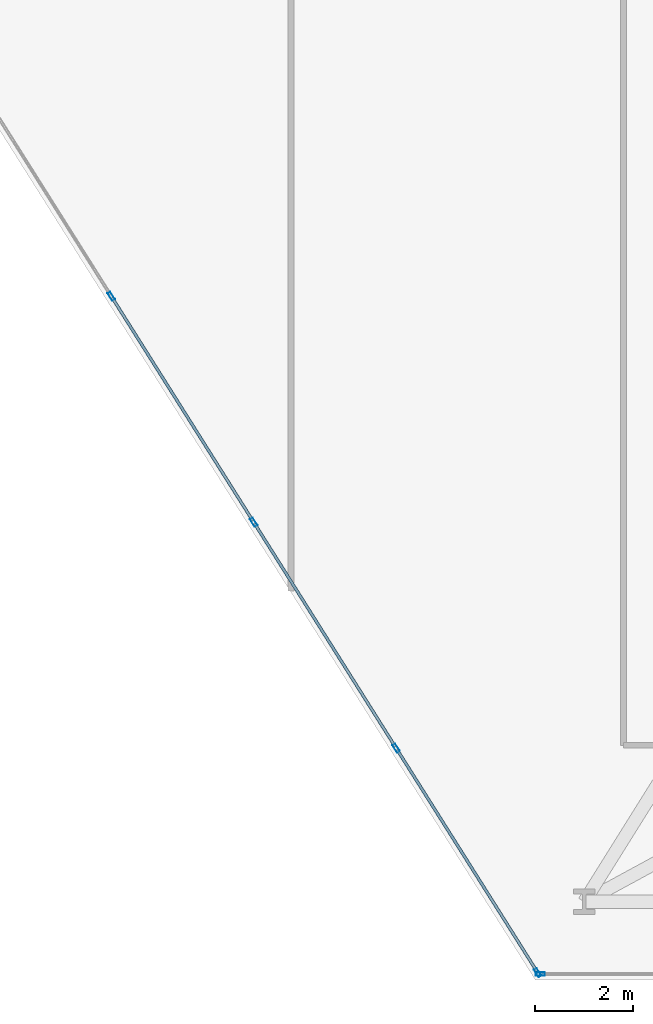
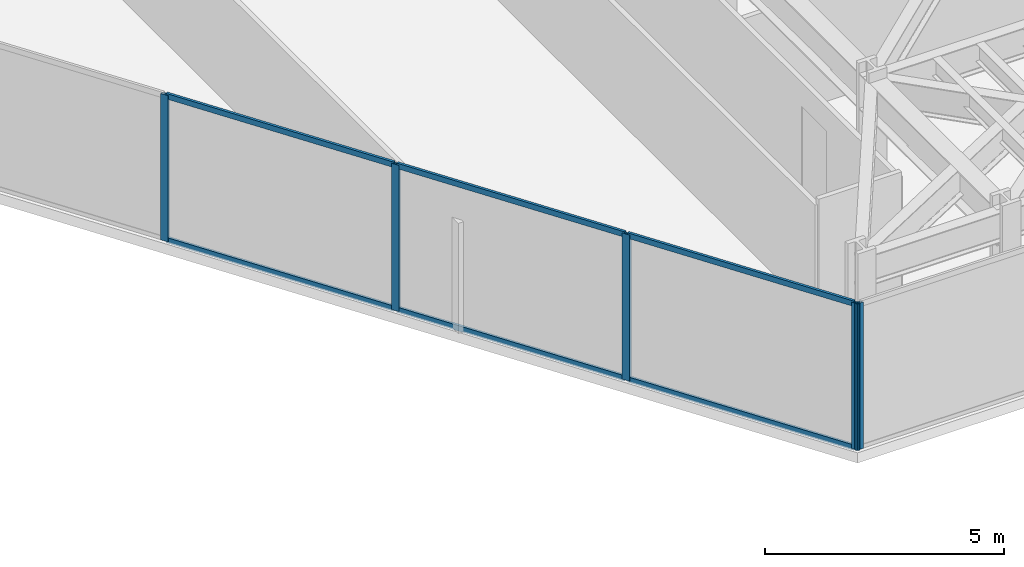
# One storey, part 12 of 24: 11 members, 2 elements without a shape of their own.
"""IFC4 building model written with IfcOpenShell, lengths in metres."""

from ifc_helpers import new_model, si_unit, direction, frame, origin, origin_2d, place, context, subcontext, project, spatial, hollow_rectangle, extrude, material, layer, layer_set, material_profile, profile_set, type_object, element, aggregate, save


model = new_model("IFC4")

# Units and contexts
model_context = context("Model", 3, precision=1e-05, world=origin(), true_north=direction((0.0, 1.0)))
body_context = subcontext(model_context, "Body", "Model", "MODEL_VIEW")
ifc_project = project(units=[si_unit("LENGTHUNIT", "METRE"), si_unit("AREAUNIT", "SQUARE_METRE"), si_unit("VOLUMEUNIT", "CUBIC_METRE"), si_unit("PLANEANGLEUNIT", "RADIAN"), si_unit("MASSUNIT", "GRAM", prefix="KILO")], contexts=[model_context])

# Site, building, storey
site_placement = place(None, origin())
site = spatial("IfcSite", under=ifc_project, at=site_placement, CompositionType="ELEMENT")
building_placement = place(site_placement, origin())
building = spatial("IfcBuilding", under=site, at=building_placement, Name="Kravanh Interchange Tower", CompositionType="ELEMENT")
storey_placement = place(building_placement, frame((0.0, 0.0, 45.5)))
storey = spatial("IfcBuildingStorey", under=building, at=storey_placement, Name="L10", CompositionType="ELEMENT", Elevation=45.5)

# Curtain wall, member
ifc_material_1 = material(Name="Anodised Bronze Aluminium", Category="aluminium")
ifc_layer = layer(ifc_material_1, 0.179931640625)
ifc_layer_set = layer_set([ifc_layer], Name="Unitised Curtain Wall System CW-Z1 Lower Office")
curtain_wall_type = type_object("IfcCurtainWallType", Name="Unitised Curtain Wall System CW-Z1 Lower Office", PredefinedType="NOTDEFINED", material=ifc_layer_set)
curtain_wall_1_placement = place(storey_placement, origin())
curtain_wall_1 = element("IfcCurtainWall", 1, at=curtain_wall_1_placement, inside=storey, type_object=curtain_wall_type, Name="L10 Unitised Curtain Wall CW-L10-03", PredefinedType="NOTDEFINED")
ifc_material_2 = material(Name="Anodised Bronze Aluminium", Category="aluminium")
ifc_material_profile_1 = material_profile(ifc_material_2, hollow_rectangle(XDim=0.070068359375, YDim=0.179931640625, WallThickness=0.00390625, at=origin_2d()), Name="ALU70X180X4")
ifc_profile_set_1 = profile_set([ifc_material_profile_1], Name="Anodised Bronze Aluminium")
member_type_1 = type_object("IfcMemberType", Name="Curtain Wall Mullion ALU70X180X4 Bronze", PredefinedType="MULLION", material=ifc_profile_set_1)
member_1_placement = place(storey_placement, frame((51.601318359375, 1.1201171875, 0.0), z_axis=(0.0, 0.0, 1.0), x_axis=(0.0, -1.0, 0.0)))
member_1 = element("IfcMember", 2, at=member_1_placement, type_object=member_type_1, Name="CW-Z1 mullion 3", PredefinedType="MULLION", context=body_context, shape_type="SweptSolid", body=[
    extrude(hollow_rectangle(XDim=0.070068359375, YDim=0.179931640625, WallThickness=0.00390625, at=origin_2d()), origin(), (0.0, 0.0, 1.0), 3.739990234375),
])
aggregate(curtain_wall_1, [member_1])

# Curtain wall, members
curtain_wall_2_placement = place(storey_placement, origin())
curtain_wall_2 = element("IfcCurtainWall", 3, at=curtain_wall_2_placement, inside=storey, type_object=curtain_wall_type, Name="L10 Unitised Curtain Wall CW-L10-04", PredefinedType="NOTDEFINED")
member_2_placement = place(storey_placement, frame((51.547607421875, 1.149658203125, 0.0), z_axis=(0.0, 0.0, 1.0), x_axis=(-0.845925530786, -0.53330103728, 0.0)))
member_2 = element("IfcMember", 4, at=member_2_placement, type_object=member_type_1, Name="CW-Z1 mullion 1", PredefinedType="MULLION", context=body_context, shape_type="SweptSolid", body=[
    extrude(hollow_rectangle(XDim=0.070068359375, YDim=0.179931640625, WallThickness=0.00390625, at=origin_2d()), origin(), (0.0, 0.0, 1.0), 3.739990234375),
])
member_3_placement = place(storey_placement, frame((48.653076171875, 5.740966796875, 0.0), z_axis=(0.0, 0.0, 1.0), x_axis=(-0.845925530786, -0.53330103728, 0.0)))
member_3 = element("IfcMember", 5, at=member_3_placement, type_object=member_type_1, Name="CW-Z1 mullion 2", PredefinedType="MULLION", context=body_context, shape_type="SweptSolid", body=[
    extrude(hollow_rectangle(XDim=0.070068359375, YDim=0.179931640625, WallThickness=0.00390625, at=origin_2d()), origin(), (0.0, 0.0, 1.0), 3.739990234375),
])
member_4_placement = place(storey_placement, frame((45.73974609375, 10.362060546875, 0.0), z_axis=(0.0, 0.0, 1.0), x_axis=(-0.845925530786, -0.53330103728, 0.0)))
member_4 = element("IfcMember", 6, at=member_4_placement, type_object=member_type_1, Name="CW-Z1 mullion 3", PredefinedType="MULLION", context=body_context, shape_type="SweptSolid", body=[
    extrude(hollow_rectangle(XDim=0.070068359375, YDim=0.179931640625, WallThickness=0.00390625, at=origin_2d()), origin(), (0.0, 0.0, 1.0), 3.739990234375),
])
member_5_placement = place(storey_placement, frame((42.826416015625, 14.98291015625, 0.0), z_axis=(0.0, 0.0, 1.0), x_axis=(-0.845925530786, -0.53330103728, 0.0)))
member_5 = element("IfcMember", 7, at=member_5_placement, type_object=member_type_1, Name="CW-Z1 mullion 4", PredefinedType="MULLION", context=body_context, shape_type="SweptSolid", body=[
    extrude(hollow_rectangle(XDim=0.070068359375, YDim=0.179931640625, WallThickness=0.00390625, at=origin_2d()), origin(), (0.0, 0.0, 1.0), 3.739990234375),
])
ifc_material_3 = material(Name="Anodised Bronze Aluminium", Category="aluminium")
ifc_material_profile_2 = material_profile(ifc_material_3, hollow_rectangle(XDim=0.06005859375, YDim=0.139892578125, WallThickness=0.00390625, at=origin_2d()), Name="ALU60X140X4")
ifc_profile_set_2 = profile_set([ifc_material_profile_2], Name="Anodised Bronze Aluminium")
member_type_2 = type_object("IfcMemberType", Name="Curtain Wall Transom ALU60X140X4 Bronze", PredefinedType="USERDEFINED", material=ifc_profile_set_2)
member_6_placement = place(storey_placement, frame((51.52880859375, 1.17919921875, 0.030029296875), z_axis=(-0.533288163518, 0.845933646719, 0.0), x_axis=(-0.845933646719, -0.533288163518, 0.0)))
member_6 = element("IfcMember", 8, at=member_6_placement, type_object=member_type_2, Name="CW-Z1 transom 1.1", ObjectType="TRANSOM", PredefinedType="USERDEFINED", context=body_context, shape_type="SweptSolid", body=[
    extrude(hollow_rectangle(XDim=0.06005859375, YDim=0.139892578125, WallThickness=0.00390625, at=origin_2d()), origin(), (0.0, 0.0, 1.0), 5.357666015625),
])
member_7_placement = place(storey_placement, frame((51.52880859375, 1.17919921875, 3.7099609375), z_axis=(-0.533288163518, 0.845933646719, 0.0), x_axis=(-0.845933646719, -0.533288163518, 0.0)))
member_7 = element("IfcMember", 9, at=member_7_placement, type_object=member_type_2, Name="CW-Z1 transom 1.2", ObjectType="TRANSOM", PredefinedType="USERDEFINED", context=body_context, shape_type="SweptSolid", body=[
    extrude(hollow_rectangle(XDim=0.06005859375, YDim=0.139892578125, WallThickness=0.00390625, at=origin_2d()), origin(), (0.0, 0.0, 1.0), 5.357666015625),
])
member_8_placement = place(storey_placement, frame((48.63427734375, 5.7705078125, 0.030029296875), z_axis=(-0.533311487456, 0.84591894254, 0.0), x_axis=(-0.84591894254, -0.533311487456, 0.0)))
member_8 = element("IfcMember", 10, at=member_8_placement, type_object=member_type_2, Name="CW-Z1 transom 2.1", ObjectType="TRANSOM", PredefinedType="USERDEFINED", context=body_context, shape_type="SweptSolid", body=[
    extrude(hollow_rectangle(XDim=0.06005859375, YDim=0.139892578125, WallThickness=0.00390625, at=origin_2d()), origin(), (0.0, 0.0, 1.0), 5.392578125),
])
member_9_placement = place(storey_placement, frame((48.63427734375, 5.7705078125, 3.7099609375), z_axis=(-0.533311487456, 0.84591894254, 0.0), x_axis=(-0.84591894254, -0.533311487456, 0.0)))
member_9 = element("IfcMember", 11, at=member_9_placement, type_object=member_type_2, Name="CW-Z1 transom 2.2", ObjectType="TRANSOM", PredefinedType="USERDEFINED", context=body_context, shape_type="SweptSolid", body=[
    extrude(hollow_rectangle(XDim=0.06005859375, YDim=0.139892578125, WallThickness=0.00390625, at=origin_2d()), origin(), (0.0, 0.0, 1.0), 5.392578125),
])
member_10_placement = place(storey_placement, frame((45.720947265625, 10.3916015625, 0.030029296875), z_axis=(-0.533279090152, 0.845939366626, 0.0), x_axis=(-0.845939366626, -0.533279090152, 0.0)))
member_10 = element("IfcMember", 12, at=member_10_placement, type_object=member_type_2, Name="CW-Z1 transom 3.1", ObjectType="TRANSOM", PredefinedType="USERDEFINED", context=body_context, shape_type="SweptSolid", body=[
    extrude(hollow_rectangle(XDim=0.06005859375, YDim=0.139892578125, WallThickness=0.00390625, at=origin_2d()), origin(), (0.0, 0.0, 1.0), 5.392578125),
])
member_11_placement = place(storey_placement, frame((45.720947265625, 10.3916015625, 3.7099609375), z_axis=(-0.533279090152, 0.845939366626, 0.0), x_axis=(-0.845939366626, -0.533279090152, 0.0)))
member_11 = element("IfcMember", 13, at=member_11_placement, type_object=member_type_2, Name="CW-Z1 transom 3.2", ObjectType="TRANSOM", PredefinedType="USERDEFINED", context=body_context, shape_type="SweptSolid", body=[
    extrude(hollow_rectangle(XDim=0.06005859375, YDim=0.139892578125, WallThickness=0.00390625, at=origin_2d()), origin(), (0.0, 0.0, 1.0), 5.392578125),
])
aggregate(curtain_wall_2, [member_2, member_3, member_4, member_5, member_6, member_7, member_8, member_9, member_10, member_11])

save(model, "model.ifc")
